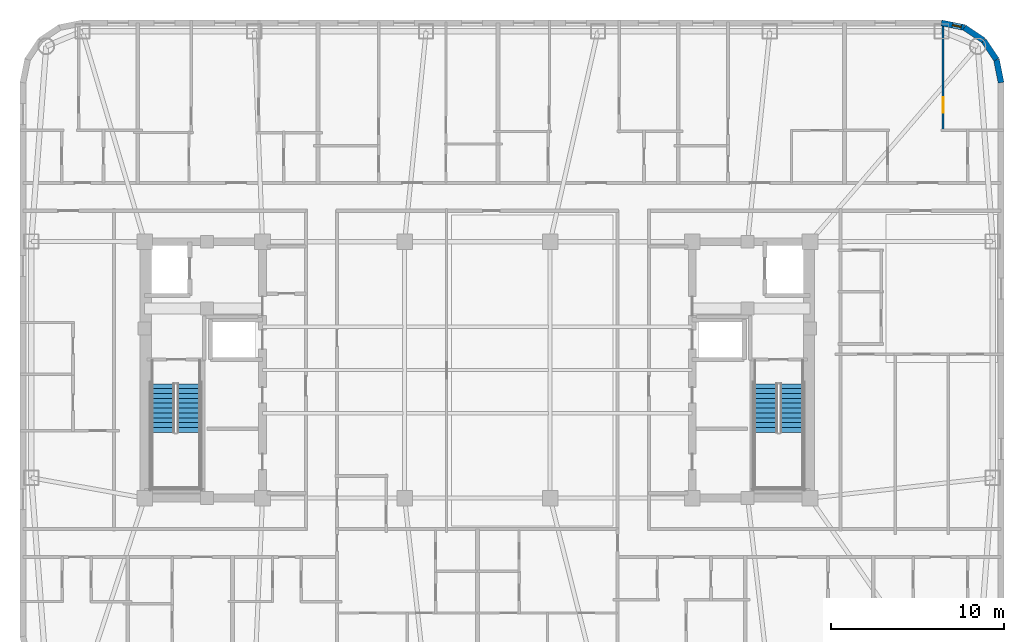
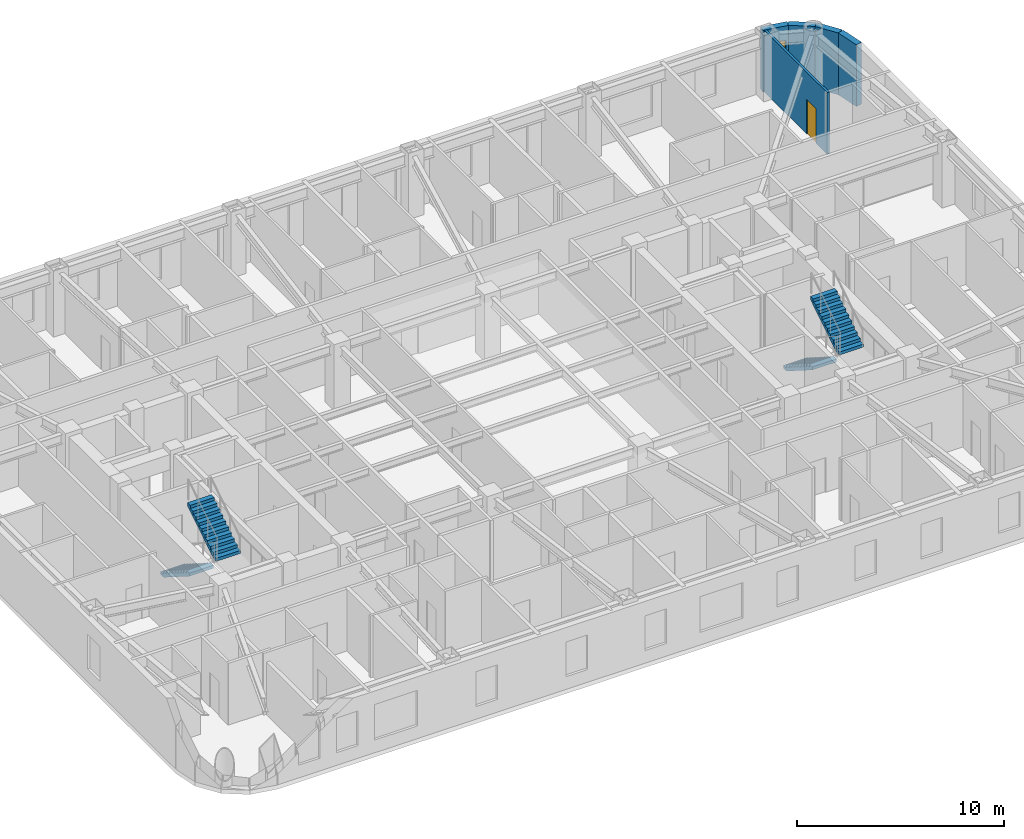
# One storey, part 9 of 11: 5 walls, 4 stair flights, 1 door, 1 window, 2 openings, 2 elements without a shape of their own.
"""IFC4 building model written with IfcOpenShell, lengths in metres."""

from ifc_helpers import new_model, si_unit, direction, frame, frame_2d, origin, place, context, subcontext, project, spatial, polyline, rectangle, outline, extrude, material, layer, layer_set, type_object, element, fill, aggregate, save


model = new_model("IFC4")

# Units and contexts
model_context = context("Model", 3, precision=1e-05, world=origin(), true_north=direction((0.0, 1.0)))
body_context = subcontext(model_context, "Body", "Model", "MODEL_VIEW")
ifc_project = project(units=[si_unit("LENGTHUNIT", "METRE"), si_unit("AREAUNIT", "SQUARE_METRE"), si_unit("VOLUMEUNIT", "CUBIC_METRE"), si_unit("PLANEANGLEUNIT", "RADIAN"), si_unit("MASSUNIT", "GRAM", prefix="KILO")], contexts=[model_context])

# Site, building, storey
site_placement = place(None, origin())
site = spatial("IfcSite", under=ifc_project, at=site_placement, CompositionType="ELEMENT")
building_placement = place(site_placement, origin())
building = spatial("IfcBuilding", under=site, at=building_placement, Name="Voryun Gate Residences", CompositionType="ELEMENT")
storey_placement = place(building_placement, frame((0.0, 0.0, 219.699951171875)))
storey = spatial("IfcBuildingStorey", under=building, at=storey_placement, Name="L54", CompositionType="ELEMENT", Elevation=219.699951171875)

# Wall, opening, window
ifc_material_1 = material(Name="Charcoal terracotta masonry", Category="masonry")
ifc_layer_1 = layer(ifc_material_1, 0.340087890625, Name="W_EXT_TERRACOTTA_340")
ifc_layer_set_1 = layer_set([ifc_layer_1], Name="Charcoal terracotta masonry")
wall_type_1 = type_object("IfcWallType", Name="W_EXT_TERRACOTTA_340", PredefinedType="ELEMENTEDWALL", material=ifc_layer_set_1)
wall_1_placement = place(storey_placement, frame((26.783203125, 20.030029296875, 0.0), z_axis=(0.0, 0.0, 1.0), x_axis=(0.980788153188, -0.195075878998, 0.0)))
wall_1 = element("IfcWall", 1, at=wall_1_placement, inside=storey, type_object=wall_type_1, Name="Exterior wall WEXT-L54-12", PredefinedType="ELEMENTEDWALL", context=body_context, shape_type="SweptSolid", body=[
    extrude(rectangle(XDim=1.354248046875, YDim=0.340087890625, at=frame_2d((0.67724609375, 0.0))), origin(), (0.0, 0.0, 1.0), 3.650146484375),
])
opening_1_placement = place(wall_1_placement, frame((0.656982421875, 0.0, 0.75)))
opening_1 = element("IfcOpeningElement", 2, at=opening_1_placement, cuts=wall_1, Name="Opening WN10", PredefinedType="OPENING", context=body_context, shape_type="SweptSolid", body=[
    extrude(rectangle(XDim=0.52001953125, YDim=2.050048828125, at=frame_2d((0.260009765625, 1.02490234375))), frame((0.0, 0.179931640625, 0.0), z_axis=(0.0, -1.0, 0.0), x_axis=(1.0, 0.0, 0.0)), (0.0, 0.0, 1.0), 0.360107421875),
])
ifc_material_2 = material(Name="Laminated low-E glass", Category="glass")
window_type = type_object("IfcWindowType", Name="WN_PAGODA_LANCET_520", PartitioningType="SINGLE_PANEL", PredefinedType="WINDOW", material=ifc_material_2)
window_placement = place(opening_1_placement, origin())
window = element("IfcWindow", 3, at=window_placement, inside=storey, type_object=window_type, Name="Window WN-L54-DWFIX-14", OverallHeight=2.050048828125, OverallWidth=0.52001953125, PartitioningType="SINGLE_PANEL", PredefinedType="WINDOW", context=body_context, shape_type="SweptSolid", body=[
    extrude(rectangle(XDim=0.52001953125, YDim=2.050048828125, at=frame_2d((0.260009765625, 1.02490234375))), frame((0.0, 0.030029296875, 0.0), z_axis=(0.0, -1.0, 0.0), x_axis=(1.0, 0.0, 0.0)), (0.0, 0.0, 1.0), 0.06005859375),
])
fill(opening_1, window)

# Walls
for number, where, z_axis, x_axis, name in (
    (4, (28.111328125, 19.765869140625, 0.0), (0.0, 0.0, 1.0), (0.831403586725, -0.555669034571, 0.0), "Exterior wall WEXT-L54-13"),
    (5, (29.222900390625, 19.02294921875, 0.0), (0.0, 0.0, 1.0), (0.555669034571, -0.831403586725, 0.0), "Exterior wall WEXT-L54-14"),
):
    element("IfcWall", number, at=place(storey_placement, frame(where, z_axis=z_axis, x_axis=x_axis)), inside=storey, type_object=wall_type_1, Name=name, PredefinedType="ELEMENTEDWALL", context=body_context, shape_type="SweptSolid", body=[
        extrude(rectangle(XDim=1.3369140625, YDim=0.340087890625, at=frame_2d((0.66845703125, 0.0))), origin(), (0.0, 0.0, 1.0), 3.650146484375),
    ])
wall_2_placement = place(storey_placement, frame((29.9658203125, 17.911376953125, 0.0), z_axis=(0.0, 0.0, 1.0), x_axis=(0.195075878998, -0.980788153188, 0.0)))
element("IfcWall", 6, at=wall_2_placement, inside=storey, type_object=wall_type_1, Name="Exterior wall WEXT-L54-15", PredefinedType="ELEMENTEDWALL", context=body_context, shape_type="SweptSolid", body=[
    extrude(rectangle(XDim=1.354248046875, YDim=0.340087890625, at=frame_2d((0.67724609375, 0.0))), origin(), (0.0, 0.0, 1.0), 3.650146484375),
])

# Wall, opening, door
ifc_material_3 = material(Name="Gypsum acoustic partition")
ifc_layer_2 = layer(ifc_material_3, 0.125, Name="W_UNIT_PART_125")
ifc_layer_set_2 = layer_set([ifc_layer_2], Name="Gypsum acoustic partition")
wall_type_2 = type_object("IfcWallType", Name="W_UNIT_PART_125", PredefinedType="PARTITIONING", material=ifc_layer_set_2)
wall_3_placement = place(storey_placement, frame((26.886962890625, 13.759033203125, 0.0), z_axis=(0.0, 0.0, 1.0), x_axis=(0.0, 1.0, 0.0)))
wall_3 = element("IfcWall", 7, at=wall_3_placement, inside=storey, type_object=wall_type_2, Name="Partition wall WP-L54-N6-OVR", PredefinedType="PARTITIONING", context=body_context, shape_type="SweptSolid", body=[
    extrude(rectangle(XDim=6.4033203125, YDim=0.125, at=frame_2d((3.20166015625, 0.0))), origin(), (0.0, 0.0, 1.0), 3.650146484375),
])
opening_2_placement = place(wall_3_placement, frame((1.0869140625, 0.0, 0.0)))
opening_2 = element("IfcOpeningElement", 8, at=opening_2_placement, cuts=wall_3, Name="Opening D-INT-2", PredefinedType="OPENING", context=body_context, shape_type="SweptSolid", body=[
    extrude(rectangle(XDim=0.89990234375, YDim=2.050048828125, at=frame_2d((0.449951171875, 1.02490234375))), frame((0.0, 0.072509765625, 0.0), z_axis=(0.0, -1.0, 0.0), x_axis=(1.0, 0.0, 0.0)), (0.0, 0.0, 1.0), 0.14501953125),
])
ifc_material_4 = material(Name="Architectural oak veneer")
door_type = type_object("IfcDoorType", Name="DR_INT_BATH_900", OperationType="NOTDEFINED", PredefinedType="DOOR", material=ifc_material_4)
door_placement = place(opening_2_placement, origin())
door = element("IfcDoor", 9, at=door_placement, inside=storey, type_object=door_type, Name="Door DR-L54-N6-DMB", OperationType="SINGLE_SWING_RIGHT", OverallHeight=2.050048828125, OverallWidth=0.89990234375, PredefinedType="DOOR", context=body_context, shape_type="SweptSolid", body=[
    extrude(rectangle(XDim=0.89990234375, YDim=2.050048828125, at=frame_2d((0.449951171875, 1.02490234375))), frame((0.0, 0.02490234375, 0.0), z_axis=(0.0, -1.0, 0.0), x_axis=(1.0, 0.0, 0.0)), (0.0, 0.0, 1.0), 0.050048828125),
])
fill(opening_2, door)

# Stair, stair flights
ifc_material_5 = material(Name="Concrete C40/50", Category="concrete")
stair_type = type_object("IfcStairType", Name="STR_CORE_DOGLEG_1350", PredefinedType="HALF_TURN_STAIR", material=ifc_material_5)
stair_1_placement = place(storey_placement, origin())
stair_1 = element("IfcStair", 10, at=stair_1_placement, inside=storey, type_object=stair_type, Name="L54 Special Escape Stair ST-W1", PredefinedType="HALF_TURN_STAIR")
ifc_material_6 = material(Name="Concrete C40/50", Category="concrete")
stair_flight_type = type_object("IfcStairFlightType", Name="FLT_CORE_1350", PredefinedType="STRAIGHT", material=ifc_material_6)
stair_flight_1_placement = place(storey_placement, frame((-18.14990234375, -0.800048828125, 0.0), z_axis=(0.0, 0.0, 1.0), x_axis=(0.0, -1.0, 0.0)))
stair_flight_1 = element("IfcStairFlight", 11, at=stair_flight_1_placement, type_object=stair_flight_type, Name="ST-W1 flight 1", NumberOfRisers=11, NumberOfTreads=10, PredefinedType="STRAIGHT", RiserHeight=0.177272727, TreadLength=0.28, context=body_context, shape_type="SweptSolid", body=[
    extrude(outline(polyline([(0.0, 0.0), (0.0, 0.17724609375), (0.280029296875, 0.17724609375), (0.280029296875, 0.3544921875), (0.56005859375, 0.3544921875), (0.56005859375, 0.53173828125), (0.840087890625, 0.53173828125), (0.840087890625, 0.708984375), (1.1201171875, 0.708984375), (1.1201171875, 0.886474609375), (1.39990234375, 0.886474609375), (1.39990234375, 1.063720703125), (1.679931640625, 1.063720703125), (1.679931640625, 1.240966796875), (1.9599609375, 1.240966796875), (1.9599609375, 1.418212890625), (2.239990234375, 1.418212890625), (2.239990234375, 1.595458984375), (2.52001953125, 1.595458984375), (2.52001953125, 1.772705078125), (2.800048828125, 1.772705078125), (2.800048828125, 1.949951171875), (2.800048828125, 1.59521484375), (0.2802734375, 0.0), (0.0, 0.0)])), frame((0.0, 0.675048828125, 0.0), z_axis=(0.0, -1.0, 0.0), x_axis=(1.0, 0.0, 0.0)), (0.0, 0.0, 1.0), 1.35009765625),
])
stair_flight_2_placement = place(storey_placement, frame((-16.64990234375, -3.60009765625, 1.949951171875), z_axis=(0.0, 0.0, 1.0), x_axis=(0.0, 1.0, 0.0)))
stair_flight_2 = element("IfcStairFlight", 12, at=stair_flight_2_placement, type_object=stair_flight_type, Name="ST-W1 flight 2", NumberOfRisers=11, NumberOfTreads=10, PredefinedType="STRAIGHT", RiserHeight=0.177272727, TreadLength=0.28, context=body_context, shape_type="SweptSolid", body=[
    extrude(outline(polyline([(0.0, 0.0), (0.0, 0.17724609375), (0.280029296875, 0.17724609375), (0.280029296875, 0.3544921875), (0.56005859375, 0.3544921875), (0.56005859375, 0.53173828125), (0.840087890625, 0.53173828125), (0.840087890625, 0.708984375), (1.1201171875, 0.708984375), (1.1201171875, 0.886474609375), (1.39990234375, 0.886474609375), (1.39990234375, 1.063720703125), (1.679931640625, 1.063720703125), (1.679931640625, 1.240966796875), (1.9599609375, 1.240966796875), (1.9599609375, 1.418212890625), (2.239990234375, 1.418212890625), (2.239990234375, 1.595458984375), (2.52001953125, 1.595458984375), (2.52001953125, 1.772705078125), (2.800048828125, 1.772705078125), (2.800048828125, 1.949951171875), (2.800048828125, 1.59521484375), (0.2802734375, 0.0), (0.0, 0.0)])), frame((0.0, 0.675048828125, 0.0), z_axis=(0.0, -1.0, 0.0), x_axis=(1.0, 0.0, 0.0)), (0.0, 0.0, 1.0), 1.35009765625),
])
aggregate(stair_1, [stair_flight_1, stair_flight_2])

stair_2_placement = place(storey_placement, origin())
stair_2 = element("IfcStair", 13, at=stair_2_placement, inside=storey, type_object=stair_type, Name="L54 Special Escape Stair ST-E1", PredefinedType="HALF_TURN_STAIR")
stair_flight_3_placement = place(storey_placement, frame((16.64990234375, -0.800048828125, 0.0), z_axis=(0.0, 0.0, 1.0), x_axis=(0.0, -1.0, 0.0)))
stair_flight_3 = element("IfcStairFlight", 14, at=stair_flight_3_placement, type_object=stair_flight_type, Name="ST-E1 flight 1", NumberOfRisers=11, NumberOfTreads=10, PredefinedType="STRAIGHT", RiserHeight=0.177272727, TreadLength=0.28, context=body_context, shape_type="SweptSolid", body=[
    extrude(outline(polyline([(0.0, 0.0), (0.0, 0.17724609375), (0.280029296875, 0.17724609375), (0.280029296875, 0.3544921875), (0.56005859375, 0.3544921875), (0.56005859375, 0.53173828125), (0.840087890625, 0.53173828125), (0.840087890625, 0.708984375), (1.1201171875, 0.708984375), (1.1201171875, 0.886474609375), (1.39990234375, 0.886474609375), (1.39990234375, 1.063720703125), (1.679931640625, 1.063720703125), (1.679931640625, 1.240966796875), (1.9599609375, 1.240966796875), (1.9599609375, 1.418212890625), (2.239990234375, 1.418212890625), (2.239990234375, 1.595458984375), (2.52001953125, 1.595458984375), (2.52001953125, 1.772705078125), (2.800048828125, 1.772705078125), (2.800048828125, 1.949951171875), (2.800048828125, 1.59521484375), (0.2802734375, 0.0), (0.0, 0.0)])), frame((0.0, 0.675048828125, 0.0), z_axis=(0.0, -1.0, 0.0), x_axis=(1.0, 0.0, 0.0)), (0.0, 0.0, 1.0), 1.35009765625),
])
stair_flight_4_placement = place(storey_placement, frame((18.14990234375, -3.60009765625, 1.949951171875), z_axis=(0.0, 0.0, 1.0), x_axis=(0.0, 1.0, 0.0)))
stair_flight_4 = element("IfcStairFlight", 15, at=stair_flight_4_placement, type_object=stair_flight_type, Name="ST-E1 flight 2", NumberOfRisers=11, NumberOfTreads=10, PredefinedType="STRAIGHT", RiserHeight=0.177272727, TreadLength=0.28, context=body_context, shape_type="SweptSolid", body=[
    extrude(outline(polyline([(0.0, 0.0), (0.0, 0.17724609375), (0.280029296875, 0.17724609375), (0.280029296875, 0.3544921875), (0.56005859375, 0.3544921875), (0.56005859375, 0.53173828125), (0.840087890625, 0.53173828125), (0.840087890625, 0.708984375), (1.1201171875, 0.708984375), (1.1201171875, 0.886474609375), (1.39990234375, 0.886474609375), (1.39990234375, 1.063720703125), (1.679931640625, 1.063720703125), (1.679931640625, 1.240966796875), (1.9599609375, 1.240966796875), (1.9599609375, 1.418212890625), (2.239990234375, 1.418212890625), (2.239990234375, 1.595458984375), (2.52001953125, 1.595458984375), (2.52001953125, 1.772705078125), (2.800048828125, 1.772705078125), (2.800048828125, 1.949951171875), (2.800048828125, 1.59521484375), (0.2802734375, 0.0), (0.0, 0.0)])), frame((0.0, 0.675048828125, 0.0), z_axis=(0.0, -1.0, 0.0), x_axis=(1.0, 0.0, 0.0)), (0.0, 0.0, 1.0), 1.35009765625),
])
aggregate(stair_2, [stair_flight_3, stair_flight_4])

save(model, "model.ifc")
